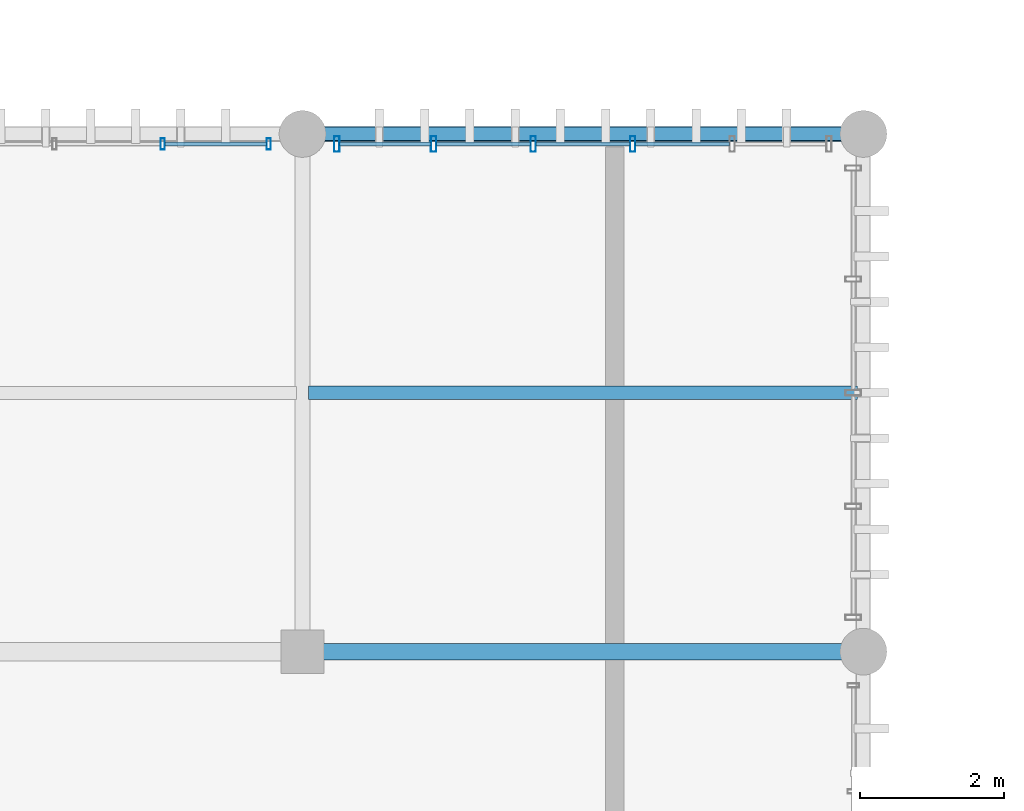
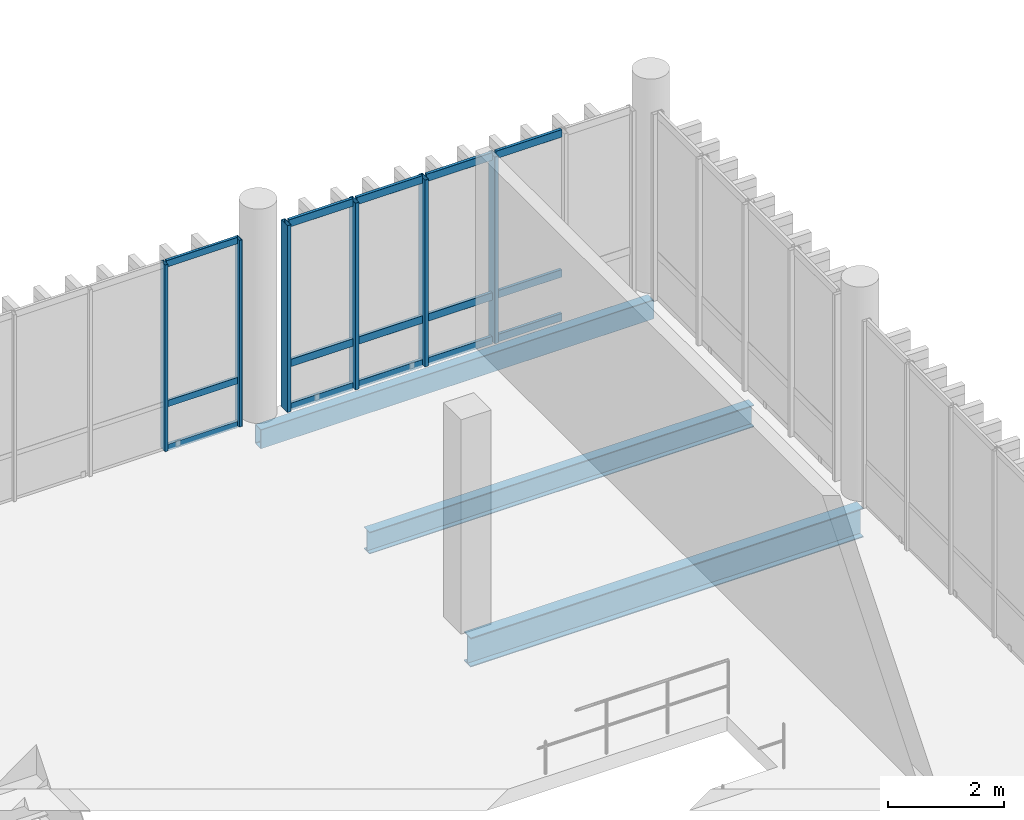
# One storey, part 31 of 66: 21 members, 3 beams, 2 elements without a shape of their own.
"""IFC4 building model written with IfcOpenShell, lengths in metres."""

import ifcopenshell
import ifcopenshell.guid

model = None  # the IFC model being written
_history = None  # IfcOwnerHistory: only IFC2X3 demands one
_inside = {}  # id of a spatial element -> (the spatial element, [elements in it])
_under = {}  # id of a project, library or spatial element -> (it, [spatial elements below it])
_declared = {}  # id of a project -> (the project, [libraries it declares])
_typed = {}  # id of a type object -> (the type object, [elements of that type])
_made_of = {}  # id of a material, layer set ... -> (it, [elements and type objects made of it])


def new_model(schema):
    """Start an empty IFC model of exactly this schema.

    Asked for "IFC4X3", IfcOpenShell would pick the latest addendum, in which some entities
    have other attributes; the version numbers below select the first issue.
    IFC2X3 requires an IfcOwnerHistory on every rooted entity: one is made here for all.
    """
    global model, _history
    if schema == "IFC4X3":
        model = ifcopenshell.file(schema_version=(4, 3, 0, 0))
    else:
        model = ifcopenshell.file(schema=schema)
    _inside.clear()
    _under.clear()
    _declared.clear()
    _typed.clear()
    _made_of.clear()
    _history = None
    if model.schema == "IFC2X3":
        org = make("IfcOrganization", Name="unknown")
        user = make(
            "IfcPersonAndOrganization",
            ThePerson=make("IfcPerson", FamilyName="unknown"),
            TheOrganization=org,
        )
        app = make(
            "IfcApplication",
            ApplicationDeveloper=org,
            Version="unknown",
            ApplicationFullName="unknown",
            ApplicationIdentifier="unknown",
        )
        _history = make(
            "IfcOwnerHistory",
            OwningUser=user,
            OwningApplication=app,
            ChangeAction="ADDED",
            CreationDate=0,
        )
    return model


def make(cls, **values):
    """One entity of the class cls with the attributes given. An attribute that is None is left unset."""
    return model.create_entity(
        cls, **{name: value for name, value in values.items() if value is not None}
    )


def rooted(cls, **values):
    """An entity with a GlobalId (a new one), such as an element, a storey or a relation."""
    return make(cls, GlobalId=ifcopenshell.guid.new(), OwnerHistory=_history, **values)


def si_unit(unit_type, name, prefix=None):
    """IfcSIUnit, for example si_unit("LENGTHUNIT", "METRE", prefix="MILLI")."""
    return make("IfcSIUnit", UnitType=unit_type, Prefix=prefix, Name=name)


def assignment(units):
    """IfcUnitAssignment: the units of a project."""
    return None if units is None else make("IfcUnitAssignment", Units=units)


def point(xyz):
    """IfcCartesianPoint."""
    return None if xyz is None else make("IfcCartesianPoint", Coordinates=xyz)


def direction(xyz):
    """IfcDirection."""
    return None if xyz is None else make("IfcDirection", DirectionRatios=xyz)


def frame(location, z_axis=None, x_axis=None):
    """IfcAxis2Placement3D, a coordinate frame: its origin and axes. An axis left out is left unset."""
    return make(
        "IfcAxis2Placement3D",
        Location=point(location),
        Axis=direction(z_axis),
        RefDirection=direction(x_axis),
    )


def frame_2d(location, x_axis=None):
    """IfcAxis2Placement2D, a coordinate frame in the plane: its origin and x axis."""
    return make(
        "IfcAxis2Placement2D", Location=point(location), RefDirection=direction(x_axis)
    )


def origin_with_axes():
    """The frame at (0, 0, 0) with the z axis (0, 0, 1) and the x axis (1, 0, 0) written out."""
    return frame((0.0, 0.0, 0.0), z_axis=(0.0, 0.0, 1.0), x_axis=(1.0, 0.0, 0.0))


def origin_2d_with_axis():
    """The frame at (0, 0) in the plane with the x axis (1, 0) written out."""
    return frame_2d((0.0, 0.0), x_axis=(1.0, 0.0))


def place(relative_to, where):
    """IfcLocalPlacement: puts the frame where relative to a parent placement (None: the world)."""
    return make(
        "IfcLocalPlacement", PlacementRelTo=relative_to, RelativePlacement=where
    )


def context(
    kind, dimensions, precision=None, world=None, true_north=None, identifier=None
):
    """IfcGeometricRepresentationContext, for example the 3D "Model" context."""
    return make(
        "IfcGeometricRepresentationContext",
        ContextIdentifier=identifier,
        ContextType=kind,
        CoordinateSpaceDimension=dimensions,
        Precision=precision,
        WorldCoordinateSystem=world,
        TrueNorth=true_north,
    )


def subcontext(parent, identifier, kind, view, scale=None):
    """IfcGeometricRepresentationSubContext, for example "Body" below "Model"."""
    return make(
        "IfcGeometricRepresentationSubContext",
        ContextIdentifier=identifier,
        ContextType=kind,
        ParentContext=parent,
        TargetScale=scale,
        TargetView=view,
    )


def project(units=None, contexts=None):
    """IfcProject with its units and contexts."""
    return rooted(
        "IfcProject",
        Name="project",
        RepresentationContexts=contexts,
        UnitsInContext=assignment(units),
    )


def spatial(cls, under=None, at=None, **own):
    """A site, building, storey or space (cls), placed at a placement, below another one or the project."""
    s = rooted(cls, ObjectPlacement=at, **own)
    if under is not None:
        _under.setdefault(under.id(), (under, []))[1].append(s)
    return s


def profile(cls, at=None, kind="AREA", **sizes):
    """A parametric profile (cls). Its sizes go by their IFC names, for example OverallWidth=200.0."""
    return make(cls, ProfileType=kind, Position=at, **sizes)


def hollow_rectangle(**sizes):
    """IfcRectangleHollowProfileDef."""
    return profile("IfcRectangleHollowProfileDef", **sizes)


def i_section(**sizes):
    """IfcIShapeProfileDef."""
    return profile("IfcIShapeProfileDef", **sizes)


def extrude(swept, where, along, depth):
    """IfcExtrudedAreaSolid: the profile swept, set in the frame where, extruded along a direction by depth."""
    return make(
        "IfcExtrudedAreaSolid",
        SweptArea=swept,
        Position=where,
        ExtrudedDirection=direction(along),
        Depth=depth,
    )


def shape(context_of_items, identifier, shape_type, items):
    """IfcShapeRepresentation: the items that make up one representation, for example the "Body"."""
    return make(
        "IfcShapeRepresentation",
        ContextOfItems=context_of_items,
        RepresentationIdentifier=identifier,
        RepresentationType=shape_type,
        Items=items,
    )


def material(Name=None, Category=None):
    """IfcMaterial."""
    return make("IfcMaterial", Name=Name, Category=Category)


def material_profile(
    of_material, cross_section, Name=None, Category=None, Priority=None
):
    """IfcMaterialProfile: a cross section and its material."""
    return make(
        "IfcMaterialProfile",
        Name=Name,
        Material=of_material,
        Profile=cross_section,
        Priority=Priority,
        Category=Category,
    )


def profile_set(profiles, Name=None, composite=None):
    """IfcMaterialProfileSet."""
    return make(
        "IfcMaterialProfileSet",
        Name=Name,
        MaterialProfiles=profiles,
        CompositeProfile=composite,
    )


def made_of(thing, what):
    """Note that an element or type object is made of a material, layer set ...; save() writes the relation."""
    if what is not None:
        _made_of.setdefault(what.id(), (what, []))[1].append(thing)
    return thing


def type_object(cls, material=None, **own):
    """A type object (cls), such as IfcWallType, which elements share."""
    return made_of(rooted(cls, **own), material)


def element(
    cls,
    number,
    at=None,
    inside=None,
    cuts=None,
    type_object=None,
    material=None,
    context=None,
    identifier="Body",
    shape_type=None,
    held_by="IfcProductDefinitionShape",
    body=None,
    shapes=None,
    **own,
):
    """One element of the class cls, such as IfcWall. Its Tag is "e" and its number.

    at: its placement. inside: the storey or other place that contains it. cuts: it is an
    opening in that element (IfcRelVoidsElement). A single representation is given by context,
    identifier, shape_type and body (its items); several are given by shapes. held_by: the class
    of the entity that holds the representations. save() writes the other relations.
    """
    e = rooted(cls, Tag="e%d" % number, ObjectPlacement=at, **own)
    if body is not None:
        shapes = [shape(context, identifier, shape_type, body)]
    if shapes is not None:
        e.Representation = make(held_by, Representations=shapes)
    if inside is not None:
        _inside.setdefault(inside.id(), (inside, []))[1].append(e)
    if cuts is not None:
        rooted(
            "IfcRelVoidsElement", RelatingBuildingElement=cuts, RelatedOpeningElement=e
        )
    if type_object is not None:
        _typed.setdefault(type_object.id(), (type_object, []))[1].append(e)
    return made_of(e, material)


def aggregate(whole, parts):
    """IfcRelAggregates: a whole, such as a stair, and the parts it consists of."""
    return rooted("IfcRelAggregates", RelatingObject=whole, RelatedObjects=parts)


def save(model, path):
    """Write the relations noted so far, then the file.

    IfcRelAggregates (storeys below a building ...), IfcRelContainedInSpatialStructure (elements
    in a storey), IfcRelDefinesByType, IfcRelAssociatesMaterial and IfcRelDeclares: one each for
    every whole, place, type object, material and project.
    """
    for whole, parts in _under.values():
        aggregate(whole, parts)
    for where, things in _inside.values():
        rooted(
            "IfcRelContainedInSpatialStructure",
            RelatedElements=things,
            RelatingStructure=where,
        )
    for kind, things in _typed.values():
        rooted("IfcRelDefinesByType", RelatedObjects=things, RelatingType=kind)
    for what, things in _made_of.values():
        rooted("IfcRelAssociatesMaterial", RelatedObjects=things, RelatingMaterial=what)
    for by, libraries in _declared.values():
        rooted("IfcRelDeclares", RelatingContext=by, RelatedDefinitions=libraries)
    model.write(path)


model = new_model("IFC4")

# Units and contexts
model_context = context("Model", 3, precision=1e-05, world=origin_with_axes(), true_north=direction((0.0, 1.0)))
body_context = subcontext(model_context, "Body", "Model", "MODEL_VIEW")
ifc_project = project(units=[si_unit("LENGTHUNIT", "METRE"), si_unit("AREAUNIT", "SQUARE_METRE"), si_unit("VOLUMEUNIT", "CUBIC_METRE"), si_unit("PLANEANGLEUNIT", "RADIAN"), si_unit("MASSUNIT", "GRAM", prefix="KILO"), si_unit("THERMODYNAMICTEMPERATUREUNIT", "KELVIN")], contexts=[model_context])

# Site, building, storey
site_placement = place(None, origin_with_axes())
site = spatial("IfcSite", under=ifc_project, at=site_placement, CompositionType="ELEMENT")
building_placement = place(site_placement, origin_with_axes())
building = spatial("IfcBuilding", under=site, at=building_placement, Name="Montbau Bow Law Courts", CompositionType="ELEMENT")
storey_placement = place(building_placement, frame((0.0, 0.0, 34.5), z_axis=(0.0, 0.0, 1.0), x_axis=(1.0, 0.0, 0.0)))
storey = spatial("IfcBuildingStorey", under=building, at=storey_placement, Name="L07", CompositionType="ELEMENT", Elevation=34.5)

# Beams
ifc_material_1 = material(Name="Steel CSA G40.21 Grade 350W (350 MPa)", Category="steel")
ifc_material_profile_1 = material_profile(ifc_material_1, i_section(OverallWidth=0.229, OverallDepth=0.612, WebThickness=0.0119, FlangeThickness=0.0196, at=origin_2d_with_axis()), Name="W610X125", Category="Main", Priority=0)
ifc_profile_set_1 = profile_set([ifc_material_profile_1], Name="Steel CSA G40.21 Grade 350W (350 MPa)")
beam_type_1 = type_object("IfcBeamType", Name="B-FLR-05", PredefinedType="BEAM", material=ifc_profile_set_1)
beam_1_placement = place(None, frame((97.2, 54.6, 33.894), z_axis=(1.0, 0.0, 0.0), x_axis=(0.0, 1.0, 0.0)))
element("IfcBeam", 1, at=beam_1_placement, inside=storey, type_object=beam_type_1, Name="BM-L07-S1035:bm2_1038", PredefinedType="BEAM", context=body_context, shape_type="SweptSolid", body=[
    extrude(i_section(OverallWidth=0.229, OverallDepth=0.612, WebThickness=0.0119, FlangeThickness=0.0196, at=origin_2d_with_axis()), origin_with_axes(), (0.0, 0.0, 1.0), 7.8),
])
ifc_material_profile_2 = material_profile(ifc_material_1, i_section(OverallWidth=0.191, OverallDepth=0.46, WebThickness=0.0099, FlangeThickness=0.016, at=origin_2d_with_axis()), Name="W460X82", Category="Main", Priority=0)
ifc_profile_set_2 = profile_set([ifc_material_profile_2], Name="Steel CSA G40.21 Grade 350W (350 MPa)")
beam_type_2 = type_object("IfcBeamType", Name="B-JST-01", PredefinedType="JOIST", material=ifc_profile_set_2)
beam_2_placement = place(None, frame((97.281, 58.2, 33.97), z_axis=(1.0, 0.0, 0.0), x_axis=(0.0, 1.0, 0.0)))
element("IfcBeam", 2, at=beam_2_placement, inside=storey, type_object=beam_type_2, Name="JST-L07-S0544:jst2_0544", PredefinedType="JOIST", context=body_context, shape_type="SweptSolid", body=[
    extrude(i_section(OverallWidth=0.191, OverallDepth=0.46, WebThickness=0.0099, FlangeThickness=0.016, at=origin_2d_with_axis()), origin_with_axes(), (0.0, 0.0, 1.0), 7.639),
])
ifc_material_2 = material(Name="Steel CSA G40.21 Grade 350WT (350 MPa)", Category="steel")
ifc_material_profile_3 = material_profile(ifc_material_2, hollow_rectangle(XDim=0.203, YDim=0.406, WallThickness=0.0127, InnerFilletRadius=0.0254, OuterFilletRadius=0.0127, at=origin_2d_with_axis()), Name="HSS406X203X13", Category="Main", Priority=0)
ifc_profile_set_3 = profile_set([ifc_material_profile_3], Name="Steel CSA G40.21 Grade 350WT (350 MPa)")
beam_type_3 = type_object("IfcBeamType", Name="B-SPN-01", PredefinedType="SPANDREL", material=ifc_profile_set_3)
beam_3_placement = place(None, frame((97.2, 61.8, 33.997), z_axis=(1.0, 0.0, 0.0), x_axis=(0.0, 1.0, 0.0)))
element("IfcBeam", 3, at=beam_3_placement, inside=storey, type_object=beam_type_3, Name="SPN-L07-S1041:bm2_1044", PredefinedType="SPANDREL", context=body_context, shape_type="SweptSolid", body=[
    extrude(hollow_rectangle(XDim=0.203, YDim=0.406, WallThickness=0.0127, InnerFilletRadius=0.0254, OuterFilletRadius=0.0127, at=origin_2d_with_axis()), origin_with_axes(), (0.0, 0.0, 1.0), 7.8),
])

# Curtain wall, members
ifc_material_3 = material(Name="Thermally Broken Extruded Aluminium AA 6063-T6", Category="aluminium")
curtain_wall_type = type_object("IfcCurtainWallType", Name="CW-CRM-02", PredefinedType="NOTDEFINED", material=ifc_material_3)
curtain_wall_1_placement = place(None, frame((97.64, 61.66, 34.5), z_axis=(0.0, 0.0, 1.0), x_axis=(1.0, 0.0, 0.0)))
curtain_wall_1 = element("IfcCurtainWall", 4, at=curtain_wall_1_placement, inside=storey, type_object=curtain_wall_type, Name="CW-L07-252:cw_0252", PredefinedType="NOTDEFINED")
ifc_material_profile_4 = material_profile(ifc_material_3, hollow_rectangle(XDim=0.075, YDim=0.22, WallThickness=0.005, InnerFilletRadius=0.01, OuterFilletRadius=0.005, at=origin_2d_with_axis()), Name="CWM-220X75", Category="Main", Priority=0)
ifc_profile_set_4 = profile_set([ifc_material_profile_4], Name="Thermally Broken Extruded Aluminium AA 6063-T6")
member_type_1 = type_object("IfcMemberType", Name="M-MUL-01", PredefinedType="MULLION", material=ifc_profile_set_4)
member_1_placement = place(None, frame((97.677, 61.66, 34.5), z_axis=(0.0, 0.0, 1.0), x_axis=(1.0, 0.0, 0.0)))
member_1 = element("IfcMember", 5, at=member_1_placement, type_object=member_type_1, Name="CW-L07-252-M01:cw_0252_M01", PredefinedType="MULLION", context=body_context, shape_type="SweptSolid", body=[
    extrude(hollow_rectangle(XDim=0.075, YDim=0.22, WallThickness=0.005, InnerFilletRadius=0.01, OuterFilletRadius=0.005, at=origin_2d_with_axis()), origin_with_axes(), (0.0, 0.0, 1.0), 3.92),
])
member_2_placement = place(None, frame((99.024, 61.66, 34.5), z_axis=(0.0, 0.0, 1.0), x_axis=(1.0, 0.0, 0.0)))
member_2 = element("IfcMember", 6, at=member_2_placement, type_object=member_type_1, Name="CW-L07-252-M02:cw_0252_M02", PredefinedType="MULLION", context=body_context, shape_type="SweptSolid", body=[
    extrude(hollow_rectangle(XDim=0.075, YDim=0.22, WallThickness=0.005, InnerFilletRadius=0.01, OuterFilletRadius=0.005, at=origin_2d_with_axis()), origin_with_axes(), (0.0, 0.0, 1.0), 3.92),
])
member_3_placement = place(None, frame((100.408, 61.66, 34.5), z_axis=(0.0, 0.0, 1.0), x_axis=(1.0, 0.0, 0.0)))
member_3 = element("IfcMember", 7, at=member_3_placement, type_object=member_type_1, Name="CW-L07-252-M03:cw_0252_M03", PredefinedType="MULLION", context=body_context, shape_type="SweptSolid", body=[
    extrude(hollow_rectangle(XDim=0.075, YDim=0.22, WallThickness=0.005, InnerFilletRadius=0.01, OuterFilletRadius=0.005, at=origin_2d_with_axis()), origin_with_axes(), (0.0, 0.0, 1.0), 3.92),
])
member_4_placement = place(None, frame((101.792, 61.66, 34.5), z_axis=(0.0, 0.0, 1.0), x_axis=(1.0, 0.0, 0.0)))
member_4 = element("IfcMember", 8, at=member_4_placement, type_object=member_type_1, Name="CW-L07-252-M04:cw_0252_M04", PredefinedType="MULLION", context=body_context, shape_type="SweptSolid", body=[
    extrude(hollow_rectangle(XDim=0.075, YDim=0.22, WallThickness=0.005, InnerFilletRadius=0.01, OuterFilletRadius=0.005, at=origin_2d_with_axis()), origin_with_axes(), (0.0, 0.0, 1.0), 3.92),
])

curtain_wall_2_placement = place(None, frame((89.24, 61.66, 34.5), z_axis=(0.0, 0.0, 1.0), x_axis=(1.0, 0.0, 0.0)))
curtain_wall_2 = element("IfcCurtainWall", 9, at=curtain_wall_2_placement, inside=storey, type_object=curtain_wall_type, Name="CW-L07-251:cw_0251", PredefinedType="NOTDEFINED")
ifc_material_profile_5 = material_profile(ifc_material_3, hollow_rectangle(XDim=0.06, YDim=0.16, WallThickness=0.004, InnerFilletRadius=0.008, OuterFilletRadius=0.004, at=origin_2d_with_axis()), Name="CWM-160X60", Category="Main", Priority=0)
ifc_profile_set_5 = profile_set([ifc_material_profile_5], Name="Thermally Broken Extruded Aluminium AA 6063-T6")
member_type_2 = type_object("IfcMemberType", Name="M-MUL-03", PredefinedType="MULLION", material=ifc_profile_set_5)
member_5_placement = place(None, frame((95.256, 61.66, 34.5), z_axis=(0.0, 0.0, 1.0), x_axis=(1.0, 0.0, 0.0)))
member_5 = element("IfcMember", 10, at=member_5_placement, type_object=member_type_2, Name="CW-L07-251-M05:cw_0251_M05", PredefinedType="MULLION", context=body_context, shape_type="SweptSolid", body=[
    extrude(hollow_rectangle(XDim=0.06, YDim=0.16, WallThickness=0.004, InnerFilletRadius=0.008, OuterFilletRadius=0.004, at=origin_2d_with_axis()), origin_with_axes(), (0.0, 0.0, 1.0), 3.92),
])
member_6_placement = place(None, frame((96.73, 61.66, 34.5), z_axis=(0.0, 0.0, 1.0), x_axis=(1.0, 0.0, 0.0)))
member_6 = element("IfcMember", 11, at=member_6_placement, type_object=member_type_2, Name="CW-L07-251-M06:cw_0251_M06", PredefinedType="MULLION", context=body_context, shape_type="SweptSolid", body=[
    extrude(hollow_rectangle(XDim=0.06, YDim=0.16, WallThickness=0.004, InnerFilletRadius=0.008, OuterFilletRadius=0.004, at=origin_2d_with_axis()), origin_with_axes(), (0.0, 0.0, 1.0), 3.92),
])

# Member
ifc_material_profile_6 = material_profile(ifc_material_3, hollow_rectangle(XDim=0.06, YDim=0.16, WallThickness=0.004, InnerFilletRadius=0.008, OuterFilletRadius=0.004, at=origin_2d_with_axis()), Name="CWT-160X60", Category="Main", Priority=0)
ifc_profile_set_6 = profile_set([ifc_material_profile_6], Name="Thermally Broken Extruded Aluminium AA 6063-T6")
member_type_3 = type_object("IfcMemberType", Name="M-TRN-01", PredefinedType="USERDEFINED", material=ifc_profile_set_6)
member_7_placement = place(None, frame((97.716, 61.66, 34.53), z_axis=(1.0, 0.0, 0.0), x_axis=(0.0, 1.0, 0.0)))
member_7 = element("IfcMember", 12, at=member_7_placement, type_object=member_type_3, Name="CW-L07-252-T01-1:cw_0252_T01_1", ObjectType="TRANSOM", PredefinedType="USERDEFINED", context=body_context, shape_type="SweptSolid", body=[
    extrude(hollow_rectangle(XDim=0.06, YDim=0.16, WallThickness=0.004, InnerFilletRadius=0.008, OuterFilletRadius=0.004, at=origin_2d_with_axis()), origin_with_axes(), (0.0, 0.0, 1.0), 1.268),
])

member_8_placement = place(None, frame((97.716, 61.66, 35.45), z_axis=(1.0, 0.0, 0.0), x_axis=(0.0, 1.0, 0.0)))
member_8 = element("IfcMember", 13, at=member_8_placement, type_object=member_type_3, Name="CW-L07-252-T01-2:cw_0252_T01_2", ObjectType="TRANSOM", PredefinedType="USERDEFINED", context=body_context, shape_type="SweptSolid", body=[
    extrude(hollow_rectangle(XDim=0.06, YDim=0.16, WallThickness=0.004, InnerFilletRadius=0.008, OuterFilletRadius=0.004, at=origin_2d_with_axis()), origin_with_axes(), (0.0, 0.0, 1.0), 1.268),
])

member_9_placement = place(None, frame((97.716, 61.66, 38.39), z_axis=(1.0, 0.0, 0.0), x_axis=(0.0, 1.0, 0.0)))
member_9 = element("IfcMember", 14, at=member_9_placement, type_object=member_type_3, Name="CW-L07-252-T01-3:cw_0252_T01_3", ObjectType="TRANSOM", PredefinedType="USERDEFINED", context=body_context, shape_type="SweptSolid", body=[
    extrude(hollow_rectangle(XDim=0.06, YDim=0.16, WallThickness=0.004, InnerFilletRadius=0.008, OuterFilletRadius=0.004, at=origin_2d_with_axis()), origin_with_axes(), (0.0, 0.0, 1.0), 1.268),
])

member_10_placement = place(None, frame((99.063, 61.66, 34.53), z_axis=(1.0, 0.0, 0.0), x_axis=(0.0, 1.0, 0.0)))
member_10 = element("IfcMember", 15, at=member_10_placement, type_object=member_type_3, Name="CW-L07-252-T02-1:cw_0252_T02_1", ObjectType="TRANSOM", PredefinedType="USERDEFINED", context=body_context, shape_type="SweptSolid", body=[
    extrude(hollow_rectangle(XDim=0.06, YDim=0.16, WallThickness=0.004, InnerFilletRadius=0.008, OuterFilletRadius=0.004, at=origin_2d_with_axis()), origin_with_axes(), (0.0, 0.0, 1.0), 1.305),
])

member_11_placement = place(None, frame((99.063, 61.66, 35.45), z_axis=(1.0, 0.0, 0.0), x_axis=(0.0, 1.0, 0.0)))
member_11 = element("IfcMember", 16, at=member_11_placement, type_object=member_type_3, Name="CW-L07-252-T02-2:cw_0252_T02_2", ObjectType="TRANSOM", PredefinedType="USERDEFINED", context=body_context, shape_type="SweptSolid", body=[
    extrude(hollow_rectangle(XDim=0.06, YDim=0.16, WallThickness=0.004, InnerFilletRadius=0.008, OuterFilletRadius=0.004, at=origin_2d_with_axis()), origin_with_axes(), (0.0, 0.0, 1.0), 1.305),
])

member_12_placement = place(None, frame((99.063, 61.66, 38.39), z_axis=(1.0, 0.0, 0.0), x_axis=(0.0, 1.0, 0.0)))
member_12 = element("IfcMember", 17, at=member_12_placement, type_object=member_type_3, Name="CW-L07-252-T02-3:cw_0252_T02_3", ObjectType="TRANSOM", PredefinedType="USERDEFINED", context=body_context, shape_type="SweptSolid", body=[
    extrude(hollow_rectangle(XDim=0.06, YDim=0.16, WallThickness=0.004, InnerFilletRadius=0.008, OuterFilletRadius=0.004, at=origin_2d_with_axis()), origin_with_axes(), (0.0, 0.0, 1.0), 1.305),
])

member_13_placement = place(None, frame((100.447, 61.66, 34.53), z_axis=(1.0, 0.0, 0.0), x_axis=(0.0, 1.0, 0.0)))
member_13 = element("IfcMember", 18, at=member_13_placement, type_object=member_type_3, Name="CW-L07-252-T03-1:cw_0252_T03_1", ObjectType="TRANSOM", PredefinedType="USERDEFINED", context=body_context, shape_type="SweptSolid", body=[
    extrude(hollow_rectangle(XDim=0.06, YDim=0.16, WallThickness=0.004, InnerFilletRadius=0.008, OuterFilletRadius=0.004, at=origin_2d_with_axis()), origin_with_axes(), (0.0, 0.0, 1.0), 1.306),
])

member_14_placement = place(None, frame((100.447, 61.66, 35.45), z_axis=(1.0, 0.0, 0.0), x_axis=(0.0, 1.0, 0.0)))
member_14 = element("IfcMember", 19, at=member_14_placement, type_object=member_type_3, Name="CW-L07-252-T03-2:cw_0252_T03_2", ObjectType="TRANSOM", PredefinedType="USERDEFINED", context=body_context, shape_type="SweptSolid", body=[
    extrude(hollow_rectangle(XDim=0.06, YDim=0.16, WallThickness=0.004, InnerFilletRadius=0.008, OuterFilletRadius=0.004, at=origin_2d_with_axis()), origin_with_axes(), (0.0, 0.0, 1.0), 1.306),
])

member_15_placement = place(None, frame((100.447, 61.66, 38.39), z_axis=(1.0, 0.0, 0.0), x_axis=(0.0, 1.0, 0.0)))
member_15 = element("IfcMember", 20, at=member_15_placement, type_object=member_type_3, Name="CW-L07-252-T03-3:cw_0252_T03_3", ObjectType="TRANSOM", PredefinedType="USERDEFINED", context=body_context, shape_type="SweptSolid", body=[
    extrude(hollow_rectangle(XDim=0.06, YDim=0.16, WallThickness=0.004, InnerFilletRadius=0.008, OuterFilletRadius=0.004, at=origin_2d_with_axis()), origin_with_axes(), (0.0, 0.0, 1.0), 1.306),
])

member_16_placement = place(None, frame((101.831, 61.66, 34.53), z_axis=(1.0, 0.0, 0.0), x_axis=(0.0, 1.0, 0.0)))
member_16 = element("IfcMember", 21, at=member_16_placement, type_object=member_type_3, Name="CW-L07-252-T04-1:cw_0252_T04_1", ObjectType="TRANSOM", PredefinedType="USERDEFINED", context=body_context, shape_type="SweptSolid", body=[
    extrude(hollow_rectangle(XDim=0.06, YDim=0.16, WallThickness=0.004, InnerFilletRadius=0.008, OuterFilletRadius=0.004, at=origin_2d_with_axis()), origin_with_axes(), (0.0, 0.0, 1.0), 1.306),
])

member_17_placement = place(None, frame((101.831, 61.66, 35.45), z_axis=(1.0, 0.0, 0.0), x_axis=(0.0, 1.0, 0.0)))
member_17 = element("IfcMember", 22, at=member_17_placement, type_object=member_type_3, Name="CW-L07-252-T04-2:cw_0252_T04_2", ObjectType="TRANSOM", PredefinedType="USERDEFINED", context=body_context, shape_type="SweptSolid", body=[
    extrude(hollow_rectangle(XDim=0.06, YDim=0.16, WallThickness=0.004, InnerFilletRadius=0.008, OuterFilletRadius=0.004, at=origin_2d_with_axis()), origin_with_axes(), (0.0, 0.0, 1.0), 1.306),
])

member_18_placement = place(None, frame((101.831, 61.66, 38.39), z_axis=(1.0, 0.0, 0.0), x_axis=(0.0, 1.0, 0.0)))
member_18 = element("IfcMember", 23, at=member_18_placement, type_object=member_type_3, Name="CW-L07-252-T04-3:cw_0252_T04_3", ObjectType="TRANSOM", PredefinedType="USERDEFINED", context=body_context, shape_type="SweptSolid", body=[
    extrude(hollow_rectangle(XDim=0.06, YDim=0.16, WallThickness=0.004, InnerFilletRadius=0.008, OuterFilletRadius=0.004, at=origin_2d_with_axis()), origin_with_axes(), (0.0, 0.0, 1.0), 1.306),
])

aggregate(curtain_wall_1, [member_1, member_2, member_3, member_4, member_7, member_8, member_9, member_10, member_11, member_12, member_13, member_14, member_15, member_16, member_17, member_18])

ifc_material_profile_7 = material_profile(ifc_material_3, hollow_rectangle(XDim=0.055, YDim=0.14, WallThickness=0.004, InnerFilletRadius=0.008, OuterFilletRadius=0.004, at=origin_2d_with_axis()), Name="CWT-140X55", Category="Main", Priority=0)
ifc_profile_set_7 = profile_set([ifc_material_profile_7], Name="Thermally Broken Extruded Aluminium AA 6063-T6")
member_type_4 = type_object("IfcMemberType", Name="M-TRN-02", PredefinedType="USERDEFINED", material=ifc_profile_set_7)
member_19_placement = place(None, frame((95.288, 61.66, 34.528), z_axis=(1.0, 0.0, 0.0), x_axis=(0.0, 1.0, 0.0)))
member_19 = element("IfcMember", 24, at=member_19_placement, type_object=member_type_4, Name="CW-L07-251-T05-1:cw_0251_T05_1", ObjectType="TRANSOM", PredefinedType="USERDEFINED", context=body_context, shape_type="SweptSolid", body=[
    extrude(hollow_rectangle(XDim=0.055, YDim=0.14, WallThickness=0.004, InnerFilletRadius=0.008, OuterFilletRadius=0.004, at=origin_2d_with_axis()), origin_with_axes(), (0.0, 0.0, 1.0), 1.41),
])

member_20_placement = place(None, frame((95.288, 61.66, 35.45), z_axis=(1.0, 0.0, 0.0), x_axis=(0.0, 1.0, 0.0)))
member_20 = element("IfcMember", 25, at=member_20_placement, type_object=member_type_4, Name="CW-L07-251-T05-2:cw_0251_T05_2", ObjectType="TRANSOM", PredefinedType="USERDEFINED", context=body_context, shape_type="SweptSolid", body=[
    extrude(hollow_rectangle(XDim=0.055, YDim=0.14, WallThickness=0.004, InnerFilletRadius=0.008, OuterFilletRadius=0.004, at=origin_2d_with_axis()), origin_with_axes(), (0.0, 0.0, 1.0), 1.41),
])

member_21_placement = place(None, frame((95.288, 61.66, 38.392), z_axis=(1.0, 0.0, 0.0), x_axis=(0.0, 1.0, 0.0)))
member_21 = element("IfcMember", 26, at=member_21_placement, type_object=member_type_4, Name="CW-L07-251-T05-3:cw_0251_T05_3", ObjectType="TRANSOM", PredefinedType="USERDEFINED", context=body_context, shape_type="SweptSolid", body=[
    extrude(hollow_rectangle(XDim=0.055, YDim=0.14, WallThickness=0.004, InnerFilletRadius=0.008, OuterFilletRadius=0.004, at=origin_2d_with_axis()), origin_with_axes(), (0.0, 0.0, 1.0), 1.41),
])

aggregate(curtain_wall_2, [member_5, member_6, member_19, member_20, member_21])

save(model, "model.ifc")
